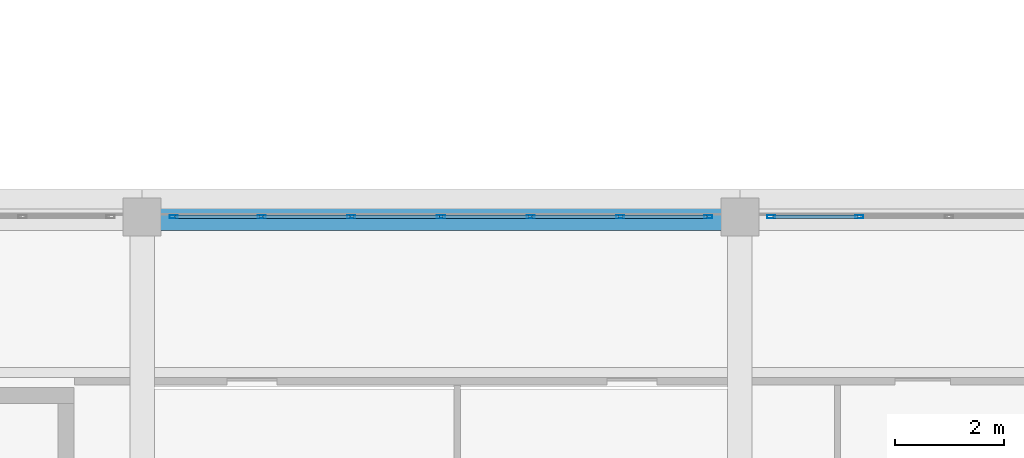
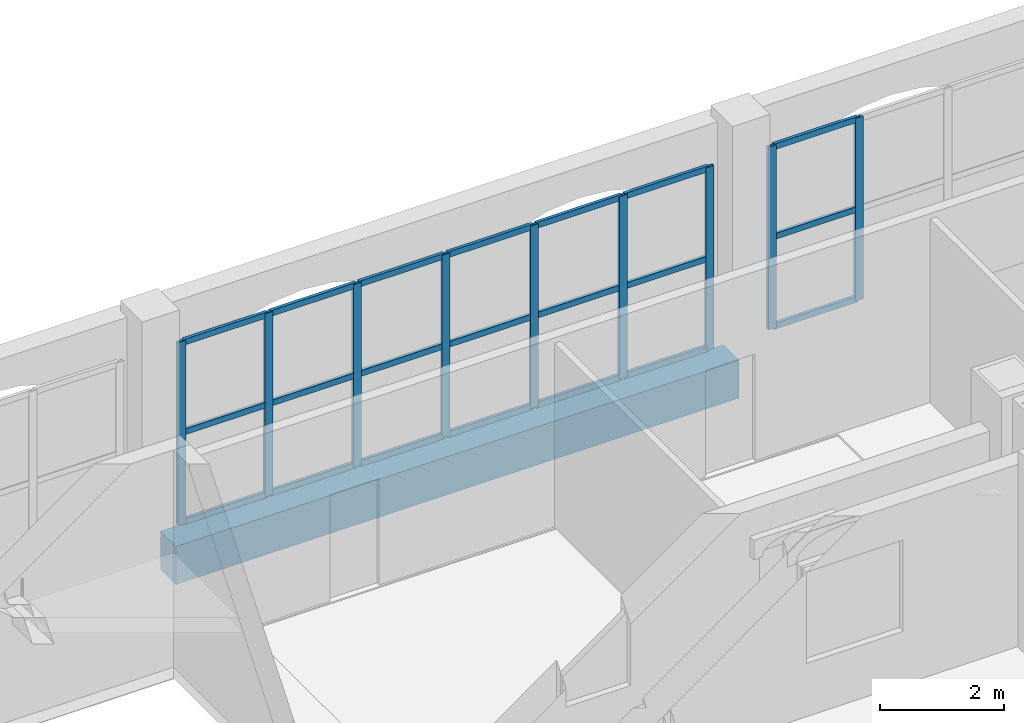
# One storey, part 46 of 156: 30 members, 1 beam, 2 elements without a shape of their own.
"""IFC4 building model written with IfcOpenShell, lengths in metres."""

from ifc_helpers import new_model, si_unit, direction, frame, origin, origin_2d, place, context, subcontext, project, spatial, rectangle, hollow_rectangle, extrude, material, material_profile, profile_set, type_object, element, aggregate, save


model = new_model("IFC4")

# Units and contexts
model_context = context("Model", 3, precision=1e-05, world=origin(), true_north=direction((0.0, 1.0)))
body_context = subcontext(model_context, "Body", "Model", "MODEL_VIEW")
ifc_project = project(units=[si_unit("LENGTHUNIT", "METRE"), si_unit("AREAUNIT", "SQUARE_METRE"), si_unit("VOLUMEUNIT", "CUBIC_METRE"), si_unit("PLANEANGLEUNIT", "RADIAN"), si_unit("MASSUNIT", "GRAM", prefix="KILO")], contexts=[model_context])

# Site, building, storey
site_placement = place(None, origin())
site = spatial("IfcSite", under=ifc_project, at=site_placement, CompositionType="ELEMENT")
building_placement = place(site_placement, origin())
building = spatial("IfcBuilding", under=site, at=building_placement, Name="Caurita Quay Ferry Terminal", CompositionType="ELEMENT")
storey_placement = place(building_placement, frame((0.0, 0.0, 5.39990234375)))
storey = spatial("IfcBuildingStorey", under=building, at=storey_placement, Name="L01", CompositionType="ELEMENT", Elevation=5.39990234375)

# Beam
ifc_material_1 = material(Name="Reinforced concrete C35/45", Category="concrete")
ifc_material_profile_1 = material_profile(ifc_material_1, rectangle(XDim=0.5, YDim=0.75, at=origin_2d()), Name="RC-BM-500X750")
ifc_profile_set_1 = profile_set([ifc_material_profile_1], Name="Reinforced concrete C35/45")
beam_type = type_object("IfcBeamType", Name="BM-RC-5075", PredefinedType="BEAM", material=ifc_profile_set_1)
beam_placement = place(storey_placement, frame((44.340087890625, 80.199951171875, -0.594970703125), z_axis=(1.0, 0.0, 0.0), x_axis=(0.0, 1.0, 0.0)))
element("IfcBeam", 1, at=beam_placement, inside=storey, type_object=beam_type, Name="L01 Beam BM-V5-L01-X-443-802", PredefinedType="BEAM", context=body_context, shape_type="SweptSolid", body=[
    extrude(rectangle(XDim=0.5, YDim=0.75, at=origin_2d()), origin(), (0.0, 0.0, 1.0), 10.485107421875),
])

# Curtain wall, members
ifc_material_2 = material(Name="Laminated solar-control insulated glass", Category="glass")
curtain_wall_type = type_object("IfcCurtainWallType", Name="CW-SYS-23", PredefinedType="NOTDEFINED", material=ifc_material_2)
curtain_wall_1_placement = place(storey_placement, origin())
curtain_wall_1 = element("IfcCurtainWall", 2, at=curtain_wall_1_placement, inside=storey, type_object=curtain_wall_type, Name="L01 Courtyard Cloister Storefront 158", PredefinedType="NOTDEFINED")
ifc_material_3 = material(Name="Anodized aluminium 6063-T6", Category="aluminium")
ifc_material_profile_2 = material_profile(ifc_material_3, hollow_rectangle(XDim=0.06005859375, YDim=0.14990234375, WallThickness=0.00341796875, at=origin_2d()), Name="ALU-MUL-60X150")
ifc_profile_set_2 = profile_set([ifc_material_profile_2], Name="Anodized aluminium 6063-T6")
member_type_1 = type_object("IfcMemberType", Name="CW-MUL-150", PredefinedType="MULLION", material=ifc_profile_set_2)
member_1_placement = place(storey_placement, frame((44.580078125, 80.199951171875, 0.0), z_axis=(0.0, 0.0, 1.0), x_axis=(0.0, 1.0, 0.0)))
member_1 = element("IfcMember", 3, at=member_1_placement, type_object=member_type_1, Name="CW-CRT-158 Mullion 1", PredefinedType="MULLION", context=body_context, shape_type="SweptSolid", body=[
    extrude(hollow_rectangle(XDim=0.06005859375, YDim=0.14990234375, WallThickness=0.00341796875, at=origin_2d()), origin(), (0.0, 0.0, 1.0), 3.60009765625),
])
member_2_placement = place(storey_placement, frame((46.199951171875, 80.199951171875, 0.0), z_axis=(0.0, 0.0, 1.0), x_axis=(0.0, 1.0, 0.0)))
member_2 = element("IfcMember", 4, at=member_2_placement, type_object=member_type_1, Name="CW-CRT-158 Mullion 2", PredefinedType="MULLION", context=body_context, shape_type="SweptSolid", body=[
    extrude(hollow_rectangle(XDim=0.06005859375, YDim=0.14990234375, WallThickness=0.00341796875, at=origin_2d()), origin(), (0.0, 0.0, 1.0), 3.60009765625),
])
member_3_placement = place(storey_placement, frame((47.85009765625, 80.199951171875, 0.0), z_axis=(0.0, 0.0, 1.0), x_axis=(0.0, 1.0, 0.0)))
member_3 = element("IfcMember", 5, at=member_3_placement, type_object=member_type_1, Name="CW-CRT-158 Mullion 3", PredefinedType="MULLION", context=body_context, shape_type="SweptSolid", body=[
    extrude(hollow_rectangle(XDim=0.06005859375, YDim=0.14990234375, WallThickness=0.00341796875, at=origin_2d()), origin(), (0.0, 0.0, 1.0), 3.60009765625),
])
member_4_placement = place(storey_placement, frame((49.5, 80.199951171875, 0.0), z_axis=(0.0, 0.0, 1.0), x_axis=(0.0, 1.0, 0.0)))
member_4 = element("IfcMember", 6, at=member_4_placement, type_object=member_type_1, Name="CW-CRT-158 Mullion 4", PredefinedType="MULLION", context=body_context, shape_type="SweptSolid", body=[
    extrude(hollow_rectangle(XDim=0.06005859375, YDim=0.14990234375, WallThickness=0.00341796875, at=origin_2d()), origin(), (0.0, 0.0, 1.0), 3.60009765625),
])
member_5_placement = place(storey_placement, frame((51.14990234375, 80.199951171875, 0.0), z_axis=(0.0, 0.0, 1.0), x_axis=(0.0, 1.0, 0.0)))
member_5 = element("IfcMember", 7, at=member_5_placement, type_object=member_type_1, Name="CW-CRT-158 Mullion 5", PredefinedType="MULLION", context=body_context, shape_type="SweptSolid", body=[
    extrude(hollow_rectangle(XDim=0.06005859375, YDim=0.14990234375, WallThickness=0.00341796875, at=origin_2d()), origin(), (0.0, 0.0, 1.0), 3.60009765625),
])
member_6_placement = place(storey_placement, frame((52.800048828125, 80.199951171875, 0.0), z_axis=(0.0, 0.0, 1.0), x_axis=(0.0, 1.0, 0.0)))
member_6 = element("IfcMember", 8, at=member_6_placement, type_object=member_type_1, Name="CW-CRT-158 Mullion 6", PredefinedType="MULLION", context=body_context, shape_type="SweptSolid", body=[
    extrude(hollow_rectangle(XDim=0.06005859375, YDim=0.14990234375, WallThickness=0.00341796875, at=origin_2d()), origin(), (0.0, 0.0, 1.0), 3.60009765625),
])
member_7_placement = place(storey_placement, frame((54.419921875, 80.199951171875, 0.0), z_axis=(0.0, 0.0, 1.0), x_axis=(0.0, 1.0, 0.0)))
member_7 = element("IfcMember", 9, at=member_7_placement, type_object=member_type_1, Name="CW-CRT-158 Mullion 7", PredefinedType="MULLION", context=body_context, shape_type="SweptSolid", body=[
    extrude(hollow_rectangle(XDim=0.06005859375, YDim=0.14990234375, WallThickness=0.00341796875, at=origin_2d()), origin(), (0.0, 0.0, 1.0), 3.60009765625),
])

curtain_wall_2_placement = place(storey_placement, origin())
curtain_wall_2 = element("IfcCurtainWall", 10, at=curtain_wall_2_placement, inside=storey, type_object=curtain_wall_type, Name="L01 Courtyard Cloister Storefront 159", PredefinedType="NOTDEFINED")
member_8_placement = place(storey_placement, frame((55.580078125, 80.199951171875, 0.0), z_axis=(0.0, 0.0, 1.0), x_axis=(0.0, 1.0, 0.0)))
member_8 = element("IfcMember", 11, at=member_8_placement, type_object=member_type_1, Name="CW-CRT-159 Mullion 1", PredefinedType="MULLION", context=body_context, shape_type="SweptSolid", body=[
    extrude(hollow_rectangle(XDim=0.06005859375, YDim=0.14990234375, WallThickness=0.00341796875, at=origin_2d()), origin(), (0.0, 0.0, 1.0), 3.60009765625),
])
member_9_placement = place(storey_placement, frame((57.199951171875, 80.199951171875, 0.0), z_axis=(0.0, 0.0, 1.0), x_axis=(0.0, 1.0, 0.0)))
member_9 = element("IfcMember", 12, at=member_9_placement, type_object=member_type_1, Name="CW-CRT-159 Mullion 2", PredefinedType="MULLION", context=body_context, shape_type="SweptSolid", body=[
    extrude(hollow_rectangle(XDim=0.06005859375, YDim=0.14990234375, WallThickness=0.00341796875, at=origin_2d()), origin(), (0.0, 0.0, 1.0), 3.60009765625),
])

# Member
ifc_material_profile_3 = material_profile(ifc_material_3, hollow_rectangle(XDim=0.06005859375, YDim=0.114990234375, WallThickness=0.00341796875, at=origin_2d()), Name="ALU-TRN-60X115")
ifc_profile_set_3 = profile_set([ifc_material_profile_3], Name="Anodized aluminium 6063-T6")
member_type_2 = type_object("IfcMemberType", Name="CW-TRN-115", PredefinedType="USERDEFINED", material=ifc_profile_set_3)
member_10_placement = place(storey_placement, frame((44.60791015625, 80.199951171875, 0.030029296875), z_axis=(1.0, 0.0, 0.0), x_axis=(0.0, 1.0, 0.0)))
member_10 = element("IfcMember", 13, at=member_10_placement, type_object=member_type_2, Name="CW-CRT-158 Transom 1", ObjectType="TRANSOM", PredefinedType="USERDEFINED", context=body_context, shape_type="SweptSolid", body=[
    extrude(hollow_rectangle(XDim=0.06005859375, YDim=0.114990234375, WallThickness=0.00341796875, at=origin_2d()), origin(), (0.0, 0.0, 1.0), 1.564208984375),
])

member_11_placement = place(storey_placement, frame((44.60791015625, 80.199951171875, 1.800048828125), z_axis=(1.0, 0.0, 0.0), x_axis=(0.0, 1.0, 0.0)))
member_11 = element("IfcMember", 14, at=member_11_placement, type_object=member_type_2, Name="CW-CRT-158 Transom 2", ObjectType="TRANSOM", PredefinedType="USERDEFINED", context=body_context, shape_type="SweptSolid", body=[
    extrude(hollow_rectangle(XDim=0.06005859375, YDim=0.114990234375, WallThickness=0.00341796875, at=origin_2d()), origin(), (0.0, 0.0, 1.0), 1.564208984375),
])

member_12_placement = place(storey_placement, frame((44.60791015625, 80.199951171875, 3.570068359375), z_axis=(1.0, 0.0, 0.0), x_axis=(0.0, 1.0, 0.0)))
member_12 = element("IfcMember", 15, at=member_12_placement, type_object=member_type_2, Name="CW-CRT-158 Transom 3", ObjectType="TRANSOM", PredefinedType="USERDEFINED", context=body_context, shape_type="SweptSolid", body=[
    extrude(hollow_rectangle(XDim=0.06005859375, YDim=0.114990234375, WallThickness=0.00341796875, at=origin_2d()), origin(), (0.0, 0.0, 1.0), 1.564208984375),
])

member_13_placement = place(storey_placement, frame((46.22802734375, 80.199951171875, 0.030029296875), z_axis=(1.0, 0.0, 0.0), x_axis=(0.0, 1.0, 0.0)))
member_13 = element("IfcMember", 16, at=member_13_placement, type_object=member_type_2, Name="CW-CRT-158 Transom 4", ObjectType="TRANSOM", PredefinedType="USERDEFINED", context=body_context, shape_type="SweptSolid", body=[
    extrude(hollow_rectangle(XDim=0.06005859375, YDim=0.114990234375, WallThickness=0.00341796875, at=origin_2d()), origin(), (0.0, 0.0, 1.0), 1.593994140625),
])

member_14_placement = place(storey_placement, frame((46.22802734375, 80.199951171875, 1.800048828125), z_axis=(1.0, 0.0, 0.0), x_axis=(0.0, 1.0, 0.0)))
member_14 = element("IfcMember", 17, at=member_14_placement, type_object=member_type_2, Name="CW-CRT-158 Transom 5", ObjectType="TRANSOM", PredefinedType="USERDEFINED", context=body_context, shape_type="SweptSolid", body=[
    extrude(hollow_rectangle(XDim=0.06005859375, YDim=0.114990234375, WallThickness=0.00341796875, at=origin_2d()), origin(), (0.0, 0.0, 1.0), 1.593994140625),
])

member_15_placement = place(storey_placement, frame((46.22802734375, 80.199951171875, 3.570068359375), z_axis=(1.0, 0.0, 0.0), x_axis=(0.0, 1.0, 0.0)))
member_15 = element("IfcMember", 18, at=member_15_placement, type_object=member_type_2, Name="CW-CRT-158 Transom 6", ObjectType="TRANSOM", PredefinedType="USERDEFINED", context=body_context, shape_type="SweptSolid", body=[
    extrude(hollow_rectangle(XDim=0.06005859375, YDim=0.114990234375, WallThickness=0.00341796875, at=origin_2d()), origin(), (0.0, 0.0, 1.0), 1.593994140625),
])

member_16_placement = place(storey_placement, frame((47.8779296875, 80.199951171875, 0.030029296875), z_axis=(1.0, 0.0, 0.0), x_axis=(0.0, 1.0, 0.0)))
member_16 = element("IfcMember", 19, at=member_16_placement, type_object=member_type_2, Name="CW-CRT-158 Transom 7", ObjectType="TRANSOM", PredefinedType="USERDEFINED", context=body_context, shape_type="SweptSolid", body=[
    extrude(hollow_rectangle(XDim=0.06005859375, YDim=0.114990234375, WallThickness=0.00341796875, at=origin_2d()), origin(), (0.0, 0.0, 1.0), 1.593994140625),
])

member_17_placement = place(storey_placement, frame((47.8779296875, 80.199951171875, 1.800048828125), z_axis=(1.0, 0.0, 0.0), x_axis=(0.0, 1.0, 0.0)))
member_17 = element("IfcMember", 20, at=member_17_placement, type_object=member_type_2, Name="CW-CRT-158 Transom 8", ObjectType="TRANSOM", PredefinedType="USERDEFINED", context=body_context, shape_type="SweptSolid", body=[
    extrude(hollow_rectangle(XDim=0.06005859375, YDim=0.114990234375, WallThickness=0.00341796875, at=origin_2d()), origin(), (0.0, 0.0, 1.0), 1.593994140625),
])

member_18_placement = place(storey_placement, frame((47.8779296875, 80.199951171875, 3.570068359375), z_axis=(1.0, 0.0, 0.0), x_axis=(0.0, 1.0, 0.0)))
member_18 = element("IfcMember", 21, at=member_18_placement, type_object=member_type_2, Name="CW-CRT-158 Transom 9", ObjectType="TRANSOM", PredefinedType="USERDEFINED", context=body_context, shape_type="SweptSolid", body=[
    extrude(hollow_rectangle(XDim=0.06005859375, YDim=0.114990234375, WallThickness=0.00341796875, at=origin_2d()), origin(), (0.0, 0.0, 1.0), 1.593994140625),
])

member_19_placement = place(storey_placement, frame((49.528076171875, 80.199951171875, 0.030029296875), z_axis=(1.0, 0.0, 0.0), x_axis=(0.0, 1.0, 0.0)))
member_19 = element("IfcMember", 22, at=member_19_placement, type_object=member_type_2, Name="CW-CRT-158 Transom 10", ObjectType="TRANSOM", PredefinedType="USERDEFINED", context=body_context, shape_type="SweptSolid", body=[
    extrude(hollow_rectangle(XDim=0.06005859375, YDim=0.114990234375, WallThickness=0.00341796875, at=origin_2d()), origin(), (0.0, 0.0, 1.0), 1.593994140625),
])

member_20_placement = place(storey_placement, frame((49.528076171875, 80.199951171875, 1.800048828125), z_axis=(1.0, 0.0, 0.0), x_axis=(0.0, 1.0, 0.0)))
member_20 = element("IfcMember", 23, at=member_20_placement, type_object=member_type_2, Name="CW-CRT-158 Transom 11", ObjectType="TRANSOM", PredefinedType="USERDEFINED", context=body_context, shape_type="SweptSolid", body=[
    extrude(hollow_rectangle(XDim=0.06005859375, YDim=0.114990234375, WallThickness=0.00341796875, at=origin_2d()), origin(), (0.0, 0.0, 1.0), 1.593994140625),
])

member_21_placement = place(storey_placement, frame((49.528076171875, 80.199951171875, 3.570068359375), z_axis=(1.0, 0.0, 0.0), x_axis=(0.0, 1.0, 0.0)))
member_21 = element("IfcMember", 24, at=member_21_placement, type_object=member_type_2, Name="CW-CRT-158 Transom 12", ObjectType="TRANSOM", PredefinedType="USERDEFINED", context=body_context, shape_type="SweptSolid", body=[
    extrude(hollow_rectangle(XDim=0.06005859375, YDim=0.114990234375, WallThickness=0.00341796875, at=origin_2d()), origin(), (0.0, 0.0, 1.0), 1.593994140625),
])

member_22_placement = place(storey_placement, frame((51.177978515625, 80.199951171875, 0.030029296875), z_axis=(1.0, 0.0, 0.0), x_axis=(0.0, 1.0, 0.0)))
member_22 = element("IfcMember", 25, at=member_22_placement, type_object=member_type_2, Name="CW-CRT-158 Transom 13", ObjectType="TRANSOM", PredefinedType="USERDEFINED", context=body_context, shape_type="SweptSolid", body=[
    extrude(hollow_rectangle(XDim=0.06005859375, YDim=0.114990234375, WallThickness=0.00341796875, at=origin_2d()), origin(), (0.0, 0.0, 1.0), 1.593994140625),
])

member_23_placement = place(storey_placement, frame((51.177978515625, 80.199951171875, 1.800048828125), z_axis=(1.0, 0.0, 0.0), x_axis=(0.0, 1.0, 0.0)))
member_23 = element("IfcMember", 26, at=member_23_placement, type_object=member_type_2, Name="CW-CRT-158 Transom 14", ObjectType="TRANSOM", PredefinedType="USERDEFINED", context=body_context, shape_type="SweptSolid", body=[
    extrude(hollow_rectangle(XDim=0.06005859375, YDim=0.114990234375, WallThickness=0.00341796875, at=origin_2d()), origin(), (0.0, 0.0, 1.0), 1.593994140625),
])

member_24_placement = place(storey_placement, frame((51.177978515625, 80.199951171875, 3.570068359375), z_axis=(1.0, 0.0, 0.0), x_axis=(0.0, 1.0, 0.0)))
member_24 = element("IfcMember", 27, at=member_24_placement, type_object=member_type_2, Name="CW-CRT-158 Transom 15", ObjectType="TRANSOM", PredefinedType="USERDEFINED", context=body_context, shape_type="SweptSolid", body=[
    extrude(hollow_rectangle(XDim=0.06005859375, YDim=0.114990234375, WallThickness=0.00341796875, at=origin_2d()), origin(), (0.0, 0.0, 1.0), 1.593994140625),
])

member_25_placement = place(storey_placement, frame((52.827880859375, 80.199951171875, 0.030029296875), z_axis=(1.0, 0.0, 0.0), x_axis=(0.0, 1.0, 0.0)))
member_25 = element("IfcMember", 28, at=member_25_placement, type_object=member_type_2, Name="CW-CRT-158 Transom 16", ObjectType="TRANSOM", PredefinedType="USERDEFINED", context=body_context, shape_type="SweptSolid", body=[
    extrude(hollow_rectangle(XDim=0.06005859375, YDim=0.114990234375, WallThickness=0.00341796875, at=origin_2d()), origin(), (0.0, 0.0, 1.0), 1.564208984375),
])

member_26_placement = place(storey_placement, frame((52.827880859375, 80.199951171875, 1.800048828125), z_axis=(1.0, 0.0, 0.0), x_axis=(0.0, 1.0, 0.0)))
member_26 = element("IfcMember", 29, at=member_26_placement, type_object=member_type_2, Name="CW-CRT-158 Transom 17", ObjectType="TRANSOM", PredefinedType="USERDEFINED", context=body_context, shape_type="SweptSolid", body=[
    extrude(hollow_rectangle(XDim=0.06005859375, YDim=0.114990234375, WallThickness=0.00341796875, at=origin_2d()), origin(), (0.0, 0.0, 1.0), 1.564208984375),
])

member_27_placement = place(storey_placement, frame((52.827880859375, 80.199951171875, 3.570068359375), z_axis=(1.0, 0.0, 0.0), x_axis=(0.0, 1.0, 0.0)))
member_27 = element("IfcMember", 30, at=member_27_placement, type_object=member_type_2, Name="CW-CRT-158 Transom 18", ObjectType="TRANSOM", PredefinedType="USERDEFINED", context=body_context, shape_type="SweptSolid", body=[
    extrude(hollow_rectangle(XDim=0.06005859375, YDim=0.114990234375, WallThickness=0.00341796875, at=origin_2d()), origin(), (0.0, 0.0, 1.0), 1.564208984375),
])

aggregate(curtain_wall_1, [member_1, member_2, member_3, member_4, member_5, member_6, member_7, member_10, member_11, member_12, member_13, member_14, member_15, member_16, member_17, member_18, member_19, member_20, member_21, member_22, member_23, member_24, member_25, member_26, member_27])

member_28_placement = place(storey_placement, frame((55.60791015625, 80.199951171875, 0.030029296875), z_axis=(1.0, 0.0, 0.0), x_axis=(0.0, 1.0, 0.0)))
member_28 = element("IfcMember", 31, at=member_28_placement, type_object=member_type_2, Name="CW-CRT-159 Transom 1", ObjectType="TRANSOM", PredefinedType="USERDEFINED", context=body_context, shape_type="SweptSolid", body=[
    extrude(hollow_rectangle(XDim=0.06005859375, YDim=0.114990234375, WallThickness=0.00341796875, at=origin_2d()), origin(), (0.0, 0.0, 1.0), 1.564208984375),
])

member_29_placement = place(storey_placement, frame((55.60791015625, 80.199951171875, 1.800048828125), z_axis=(1.0, 0.0, 0.0), x_axis=(0.0, 1.0, 0.0)))
member_29 = element("IfcMember", 32, at=member_29_placement, type_object=member_type_2, Name="CW-CRT-159 Transom 2", ObjectType="TRANSOM", PredefinedType="USERDEFINED", context=body_context, shape_type="SweptSolid", body=[
    extrude(hollow_rectangle(XDim=0.06005859375, YDim=0.114990234375, WallThickness=0.00341796875, at=origin_2d()), origin(), (0.0, 0.0, 1.0), 1.564208984375),
])

member_30_placement = place(storey_placement, frame((55.60791015625, 80.199951171875, 3.570068359375), z_axis=(1.0, 0.0, 0.0), x_axis=(0.0, 1.0, 0.0)))
member_30 = element("IfcMember", 33, at=member_30_placement, type_object=member_type_2, Name="CW-CRT-159 Transom 3", ObjectType="TRANSOM", PredefinedType="USERDEFINED", context=body_context, shape_type="SweptSolid", body=[
    extrude(hollow_rectangle(XDim=0.06005859375, YDim=0.114990234375, WallThickness=0.00341796875, at=origin_2d()), origin(), (0.0, 0.0, 1.0), 1.564208984375),
])

aggregate(curtain_wall_2, [member_8, member_9, member_28, member_29, member_30])

save(model, "model.ifc")
